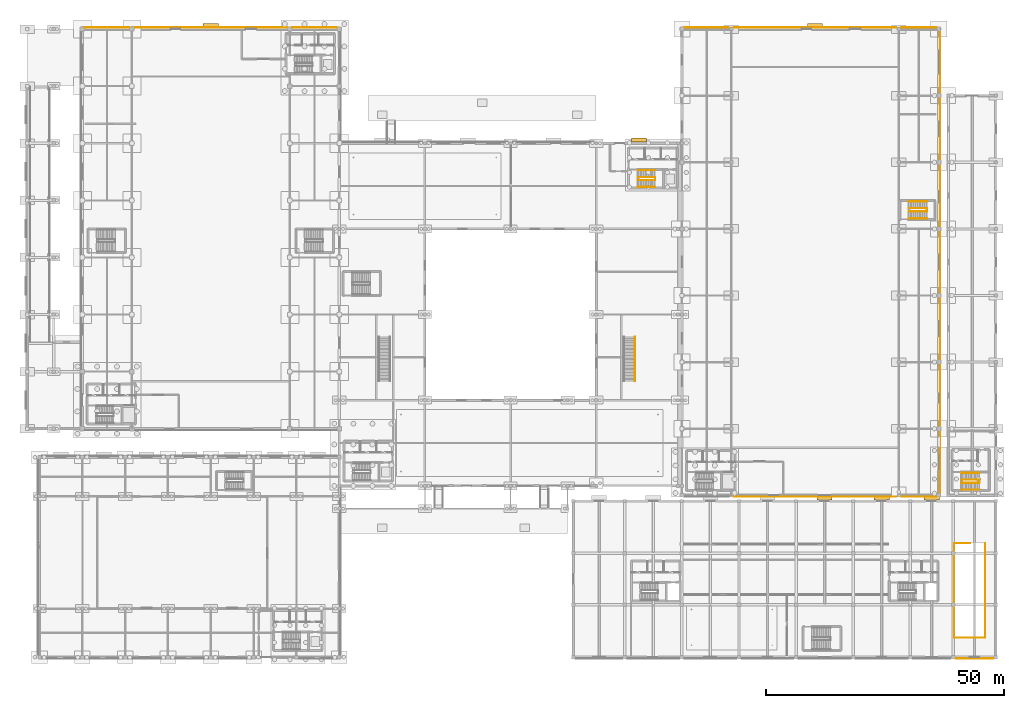
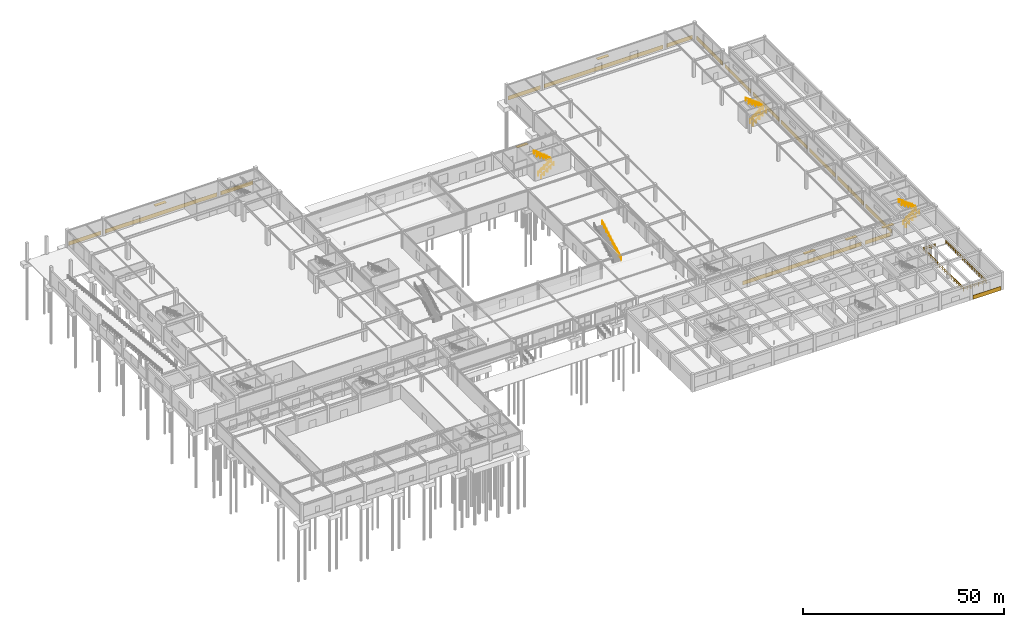
# One storey, part 52 of 53: 16 coverings, 11 railings, 6 shading devices.
"""IFC4 building model written with IfcOpenShell, lengths in metres."""

from ifc_helpers import new_model, si_unit, derived_unit, direction, frame, origin, origin_2d, place, context, subcontext, project, spatial, rectangle, circle, extrude, material, layer, layer_set, type_object, element, save


model = new_model("IFC4")

# Units and contexts
model_context = context("Model", 3, precision=1e-05, world=origin(), true_north=direction((0.0, 1.0)))
body_context = subcontext(model_context, "Body", "Model", "MODEL_VIEW")
ifc_project = project(units=[si_unit("LENGTHUNIT", "METRE"), si_unit("AREAUNIT", "SQUARE_METRE"), si_unit("VOLUMEUNIT", "CUBIC_METRE"), si_unit("PLANEANGLEUNIT", "RADIAN"), si_unit("MASSUNIT", "GRAM", prefix="KILO"), derived_unit("THERMALTRANSMITTANCEUNIT", [(si_unit("POWERUNIT", "WATT"), 1), (si_unit("LENGTHUNIT", "METRE"), -2), (si_unit("THERMODYNAMICTEMPERATUREUNIT", "KELVIN"), -1)])], contexts=[model_context])

# Site, building, storey
site_placement = place(None, origin())
site = spatial("IfcSite", under=ifc_project, at=site_placement, CompositionType="ELEMENT")
building_placement = place(site_placement, origin())
building = spatial("IfcBuilding", under=site, at=building_placement, Name="Almenara Railside Exhibition Hall", CompositionType="ELEMENT")
storey_placement = place(building_placement, origin())
storey = spatial("IfcBuildingStorey", under=building, at=storey_placement, Name="L00", CompositionType="ELEMENT", Elevation=0.0)

# Shading devices
ifc_material_1 = material(Name="Bronze-anodised aluminium solar brise-soleil", Category="aluminium")
shading_device_type = type_object("IfcShadingDeviceType", Name="North Solar Brise-Soleil Hood 900mm", PredefinedType="USERDEFINED", material=ifc_material_1)
for number, where, z_axis, x_axis, name in (
    (1, (39.0, 132.719970703125, 3.10986328125), (0.0, 0.0, 1.0), (-1.0, 0.0, 0.0), "Solar brise-soleil 0001"),
    (2, (166.0, 132.705078125, 3.10986328125), (0.0, 0.0, 1.0), (-1.0, 0.0, 0.0), "Solar brise-soleil 0002"),
    (3, (129.0, 108.675048828125, 3.91015625), (0.0, 0.0, 1.0), (-1.0, 0.0, 0.0), "Solar brise-soleil 0013"),
    (4, (168.0, 33.47509765625, 3.56005859375), (0.0, 0.0, 1.0), (-1.0, 0.0, 0.0), "Solar brise-soleil 0018"),
    (5, (180.0, 33.47509765625, 3.56005859375), (0.0, 0.0, 1.0), (-1.0, 0.0, 0.0), "Solar brise-soleil 0019"),
    (6, (190.5, 33.47509765625, 3.56005859375), (0.0, 0.0, 1.0), (-1.0, 0.0, 0.0), "Solar brise-soleil 0020"),
):
    element("IfcShadingDevice", number, at=place(storey_placement, frame(where, z_axis=z_axis, x_axis=x_axis)), inside=storey, type_object=shading_device_type, Name=name, ObjectType="BRISE_SOLEIL", PredefinedType="USERDEFINED", context=body_context, shape_type="SweptSolid", body=[
        extrude(rectangle(XDim=3.199951171875, YDim=0.89990234375, at=origin_2d()), origin(), (0.0, 0.0, 1.0), 0.139892578125),
    ])

# Coverings
ifc_material_2 = material(Name="Koppie quartzite dressed stone cladding", Category="masonry")
ifc_layer = layer(ifc_material_2, 0.080078125, Name="Koppie quartzite dressed stone cladding")
ifc_layer_set = layer_set([ifc_layer], Name="Koppie quartzite dressed stone cladding")
covering_type = type_object("IfcCoveringType", Name="Rusticated Koppie Quartzite Plinth Cladding 80mm", PredefinedType="CLADDING", material=ifc_layer_set)
covering_1_placement = place(storey_placement, frame((17.199951171875, 132.31005859375, 0.0), z_axis=(0.0, 0.0, 1.0), x_axis=(-1.0, 0.0, 0.0)))
element("IfcCovering", 7, at=covering_1_placement, inside=storey, type_object=covering_type, Name="Stone plinth cladding 0013", PredefinedType="CLADDING", context=body_context, shape_type="SweptSolid", body=[
    extrude(rectangle(XDim=9.300048828125, YDim=0.080078125, at=origin_2d()), origin(), (0.0, 0.0, 1.0), 1.199951171875),
])
covering_2_placement = place(storey_placement, frame((39.0, 132.31005859375, 0.0), z_axis=(0.0, 0.0, 1.0), x_axis=(-1.0, 0.0, 0.0)))
element("IfcCovering", 8, at=covering_2_placement, inside=storey, type_object=covering_type, Name="Stone plinth cladding 0014", PredefinedType="CLADDING", context=body_context, shape_type="SweptSolid", body=[
    extrude(rectangle(XDim=32.10009765625, YDim=0.080078125, at=origin_2d()), origin(), (0.0, 0.0, 1.0), 1.199951171875),
])
covering_3_placement = place(storey_placement, frame((60.800048828125, 132.31005859375, 0.0), z_axis=(0.0, 0.0, 1.0), x_axis=(-1.0, 0.0, 0.0)))
element("IfcCovering", 9, at=covering_3_placement, inside=storey, type_object=covering_type, Name="Stone plinth cladding 0015", PredefinedType="CLADDING", context=body_context, shape_type="SweptSolid", body=[
    extrude(rectangle(XDim=9.300048828125, YDim=0.080078125, at=origin_2d()), origin(), (0.0, 0.0, 1.0), 1.199951171875),
])
for number, where, z_axis, x_axis, name in (
    (10, (192.294921875, 41.0, 0.0), (0.0, 0.0, 1.0), (0.0, 1.0, 0.0), "Stone plinth cladding 0016"),
    (11, (192.294921875, 55.0, 0.0), (0.0, 0.0, 1.0), (0.0, 1.0, 0.0), "Stone plinth cladding 0017"),
    (12, (192.294921875, 69.0, 0.0), (0.0, 0.0, 1.0), (0.0, 1.0, 0.0), "Stone plinth cladding 0018"),
    (13, (192.294921875, 83.0, 0.0), (0.0, 0.0, 1.0), (0.0, 1.0, 0.0), "Stone plinth cladding 0019"),
    (14, (192.294921875, 97.0, 0.0), (0.0, 0.0, 1.0), (0.0, 1.0, 0.0), "Stone plinth cladding 0020"),
    (15, (192.294921875, 111.0, 0.0), (0.0, 0.0, 1.0), (0.0, 1.0, 0.0), "Stone plinth cladding 0021"),
    (16, (192.294921875, 125.0, 0.0), (0.0, 0.0, 1.0), (0.0, 1.0, 0.0), "Stone plinth cladding 0022"),
):
    element("IfcCovering", number, at=place(storey_placement, frame(where, z_axis=z_axis, x_axis=x_axis)), inside=storey, type_object=covering_type, Name=name, PredefinedType="CLADDING", context=body_context, shape_type="SweptSolid", body=[
        extrude(rectangle(XDim=12.89990234375, YDim=0.080078125, at=origin_2d()), origin(), (0.0, 0.0, 1.0), 1.199951171875),
    ])
covering_4_placement = place(storey_placement, frame((166.0, 33.705078125, 0.0), z_axis=(0.0, 0.0, 1.0), x_axis=(1.0, 0.0, 0.0)))
element("IfcCovering", 17, at=covering_4_placement, inside=storey, type_object=covering_type, Name="Stone plinth cladding 0024", PredefinedType="CLADDING", context=body_context, shape_type="SweptSolid", body=[
    extrude(rectangle(XDim=34.10009765625, YDim=0.080078125, at=origin_2d()), origin(), (0.0, 0.0, 1.0), 1.199951171875),
])
covering_5_placement = place(storey_placement, frame((187.800048828125, 33.705078125, 0.0), z_axis=(0.0, 0.0, 1.0), x_axis=(1.0, 0.0, 0.0)))
element("IfcCovering", 18, at=covering_5_placement, inside=storey, type_object=covering_type, Name="Stone plinth cladding 0025", PredefinedType="CLADDING", context=body_context, shape_type="SweptSolid", body=[
    extrude(rectangle(XDim=7.300048828125, YDim=0.080078125, at=origin_2d()), origin(), (0.0, 0.0, 1.0), 1.199951171875),
])
covering_6_placement = place(storey_placement, frame((143.199951171875, 132.294921875, 0.0), z_axis=(0.0, 0.0, 1.0), x_axis=(-1.0, 0.0, 0.0)))
element("IfcCovering", 19, at=covering_6_placement, inside=storey, type_object=covering_type, Name="Stone plinth cladding 0026", PredefinedType="CLADDING", context=body_context, shape_type="SweptSolid", body=[
    extrude(rectangle(XDim=9.300048828125, YDim=0.080078125, at=origin_2d()), origin(), (0.0, 0.0, 1.0), 1.199951171875),
])
covering_7_placement = place(storey_placement, frame((166.0, 132.294921875, 0.0), z_axis=(0.0, 0.0, 1.0), x_axis=(-1.0, 0.0, 0.0)))
element("IfcCovering", 20, at=covering_7_placement, inside=storey, type_object=covering_type, Name="Stone plinth cladding 0027", PredefinedType="CLADDING", context=body_context, shape_type="SweptSolid", body=[
    extrude(rectangle(XDim=34.10009765625, YDim=0.080078125, at=origin_2d()), origin(), (0.0, 0.0, 1.0), 1.199951171875),
])
covering_8_placement = place(storey_placement, frame((187.800048828125, 132.294921875, 0.0), z_axis=(0.0, 0.0, 1.0), x_axis=(-1.0, 0.0, 0.0)))
element("IfcCovering", 21, at=covering_8_placement, inside=storey, type_object=covering_type, Name="Stone plinth cladding 0028", PredefinedType="CLADDING", context=body_context, shape_type="SweptSolid", body=[
    extrude(rectangle(XDim=7.300048828125, YDim=0.080078125, at=origin_2d()), origin(), (0.0, 0.0, 1.0), 1.199951171875),
])
covering_9_placement = place(storey_placement, frame((199.5, -0.264892578125, 0.0), z_axis=(0.0, 0.0, 1.0), x_axis=(1.0, 0.0, 0.0)))
element("IfcCovering", 22, at=covering_9_placement, inside=storey, type_object=covering_type, Name="Stone plinth cladding 0054", PredefinedType="CLADDING", context=body_context, shape_type="SweptSolid", body=[
    extrude(rectangle(XDim=7.89990234375, YDim=0.080078125, at=origin_2d()), origin(), (0.0, 0.0, 1.0), 1.199951171875),
])

# Railings
ifc_material_3 = material(Name="Bronze-finished tubular steel handrail", Category="steel")
railing_type_1 = type_object("IfcRailingType", Name="Stair Pitch Handrail 920mm", PredefinedType="HANDRAIL", material=ifc_material_3)
railing_1_placement = place(storey_placement, frame((128.75, 98.800048828125, 0.0)))
element("IfcRailing", 23, at=railing_1_placement, inside=storey, type_object=railing_type_1, Name="HR-L00-0069", PredefinedType="HANDRAIL", context=body_context, shape_type="SweptSolid", body=[
    extrude(circle(Radius=0.02392578125, at=origin_2d()), frame((0.0, 0.0, 0.89599609375), z_axis=(0.803944740431, 0.0, 0.594704005647), x_axis=(0.0, 1.0, 0.0)), (0.0, 0.0, 1.0), 4.5400390625),
    extrude(circle(Radius=0.02099609375, at=origin_2d()), origin(), (0.0, 0.0, 1.0), 0.871826171875),
    extrude(circle(Radius=0.02099609375, at=origin_2d()), frame((0.91259765625, 0.0, 0.675048828125)), (0.0, 0.0, 1.0), 0.871826171875),
    extrude(circle(Radius=0.02099609375, at=origin_2d()), frame((1.824951171875, 0.0, 1.35009765625)), (0.0, 0.0, 1.0), 0.871826171875),
    extrude(circle(Radius=0.02099609375, at=origin_2d()), frame((2.7373046875, 0.0, 2.02490234375)), (0.0, 0.0, 1.0), 0.871826171875),
    extrude(circle(Radius=0.02099609375, at=origin_2d()), frame((3.64990234375, 0.0, 2.699951171875)), (0.0, 0.0, 1.0), 0.871826171875),
])
railing_2_placement = place(storey_placement, frame((132.39990234375, 102.300048828125, 2.699951171875)))
element("IfcRailing", 24, at=railing_2_placement, inside=storey, type_object=railing_type_1, Name="HR-L00-0070", PredefinedType="HANDRAIL", context=body_context, shape_type="SweptSolid", body=[
    extrude(circle(Radius=0.02392578125, at=origin_2d()), frame((0.0, 0.0, 0.89599609375), z_axis=(-0.803944740431, 0.0, 0.594704005647), x_axis=(0.0, -1.0, 0.0)), (0.0, 0.0, 1.0), 4.5400390625),
    extrude(circle(Radius=0.02099609375, at=origin_2d()), origin(), (0.0, 0.0, 1.0), 0.871826171875),
    extrude(circle(Radius=0.02099609375, at=origin_2d()), frame((-0.91259765625, 0.0, 0.675048828125)), (0.0, 0.0, 1.0), 0.871826171875),
    extrude(circle(Radius=0.02099609375, at=origin_2d()), frame((-1.824951171875, 0.0, 1.35009765625)), (0.0, 0.0, 1.0), 0.871826171875),
    extrude(circle(Radius=0.02099609375, at=origin_2d()), frame((-2.7373046875, 0.0, 2.02490234375)), (0.0, 0.0, 1.0), 0.871826171875),
    extrude(circle(Radius=0.02099609375, at=origin_2d()), frame((-3.64990234375, 0.0, 2.699951171875)), (0.0, 0.0, 1.0), 0.871826171875),
])
railing_3_placement = place(storey_placement, frame((196.75, 35.199951171875, 0.0)))
element("IfcRailing", 25, at=railing_3_placement, inside=storey, type_object=railing_type_1, Name="HR-L00-0077", PredefinedType="HANDRAIL", context=body_context, shape_type="SweptSolid", body=[
    extrude(circle(Radius=0.02392578125, at=origin_2d()), frame((0.0, 0.0, 0.89599609375), z_axis=(0.813740573448, 0.0, 0.581228250453), x_axis=(0.0, 1.0, 0.0)), (0.0, 0.0, 1.0), 4.645263671875),
    extrude(circle(Radius=0.02099609375, at=origin_2d()), origin(), (0.0, 0.0, 1.0), 0.871826171875),
    extrude(circle(Radius=0.02099609375, at=origin_2d()), frame((0.945068359375, 0.0, 0.675048828125)), (0.0, 0.0, 1.0), 0.871826171875),
    extrude(circle(Radius=0.02099609375, at=origin_2d()), frame((1.89013671875, 0.0, 1.35009765625)), (0.0, 0.0, 1.0), 0.871826171875),
    extrude(circle(Radius=0.02099609375, at=origin_2d()), frame((2.8349609375, 0.0, 2.02490234375)), (0.0, 0.0, 1.0), 0.871826171875),
    extrude(circle(Radius=0.02099609375, at=origin_2d()), frame((3.780029296875, 0.0, 2.699951171875)), (0.0, 0.0, 1.0), 0.871826171875),
])
railing_4_placement = place(storey_placement, frame((200.530029296875, 38.699951171875, 2.699951171875)))
element("IfcRailing", 26, at=railing_4_placement, inside=storey, type_object=railing_type_1, Name="HR-L00-0078", PredefinedType="HANDRAIL", context=body_context, shape_type="SweptSolid", body=[
    extrude(circle(Radius=0.02392578125, at=origin_2d()), frame((0.0, 0.0, 0.89599609375), z_axis=(-0.813740573448, 0.0, 0.581228250453), x_axis=(0.0, -1.0, 0.0)), (0.0, 0.0, 1.0), 4.645263671875),
    extrude(circle(Radius=0.02099609375, at=origin_2d()), origin(), (0.0, 0.0, 1.0), 0.871826171875),
    extrude(circle(Radius=0.02099609375, at=origin_2d()), frame((-0.945068359375, 0.0, 0.675048828125)), (0.0, 0.0, 1.0), 0.871826171875),
    extrude(circle(Radius=0.02099609375, at=origin_2d()), frame((-1.89013671875, 0.0, 1.35009765625)), (0.0, 0.0, 1.0), 0.871826171875),
    extrude(circle(Radius=0.02099609375, at=origin_2d()), frame((-2.8349609375, 0.0, 2.02490234375)), (0.0, 0.0, 1.0), 0.871826171875),
    extrude(circle(Radius=0.02099609375, at=origin_2d()), frame((-3.780029296875, 0.0, 2.699951171875)), (0.0, 0.0, 1.0), 0.871826171875),
])
railing_5_placement = place(storey_placement, frame((185.75, 92.199951171875, 0.0)))
element("IfcRailing", 27, at=railing_5_placement, inside=storey, type_object=railing_type_1, Name="HR-L00-0133", PredefinedType="HANDRAIL", context=body_context, shape_type="SweptSolid", body=[
    extrude(circle(Radius=0.02392578125, at=origin_2d()), frame((0.0, 0.0, 0.89599609375), z_axis=(0.813740573448, 0.0, 0.581228250453), x_axis=(0.0, 1.0, 0.0)), (0.0, 0.0, 1.0), 4.645263671875),
    extrude(circle(Radius=0.02099609375, at=origin_2d()), origin(), (0.0, 0.0, 1.0), 0.871826171875),
    extrude(circle(Radius=0.02099609375, at=origin_2d()), frame((0.945068359375, 0.0, 0.675048828125)), (0.0, 0.0, 1.0), 0.871826171875),
    extrude(circle(Radius=0.02099609375, at=origin_2d()), frame((1.89013671875, 0.0, 1.35009765625)), (0.0, 0.0, 1.0), 0.871826171875),
    extrude(circle(Radius=0.02099609375, at=origin_2d()), frame((2.8349609375, 0.0, 2.02490234375)), (0.0, 0.0, 1.0), 0.871826171875),
    extrude(circle(Radius=0.02099609375, at=origin_2d()), frame((3.780029296875, 0.0, 2.699951171875)), (0.0, 0.0, 1.0), 0.871826171875),
])
railing_6_placement = place(storey_placement, frame((189.530029296875, 95.75, 2.699951171875)))
element("IfcRailing", 28, at=railing_6_placement, inside=storey, type_object=railing_type_1, Name="HR-L00-0134", PredefinedType="HANDRAIL", context=body_context, shape_type="SweptSolid", body=[
    extrude(circle(Radius=0.02392578125, at=origin_2d()), frame((0.0, 0.0, 0.89599609375), z_axis=(-0.813740573448, 0.0, 0.581228250453), x_axis=(0.0, -1.0, 0.0)), (0.0, 0.0, 1.0), 4.645263671875),
    extrude(circle(Radius=0.02099609375, at=origin_2d()), origin(), (0.0, 0.0, 1.0), 0.871826171875),
    extrude(circle(Radius=0.02099609375, at=origin_2d()), frame((-0.945068359375, 0.0, 0.675048828125)), (0.0, 0.0, 1.0), 0.871826171875),
    extrude(circle(Radius=0.02099609375, at=origin_2d()), frame((-1.89013671875, 0.0, 1.35009765625)), (0.0, 0.0, 1.0), 0.871826171875),
    extrude(circle(Radius=0.02099609375, at=origin_2d()), frame((-2.8349609375, 0.0, 2.02490234375)), (0.0, 0.0, 1.0), 0.871826171875),
    extrude(circle(Radius=0.02099609375, at=origin_2d()), frame((-3.780029296875, 0.0, 2.699951171875)), (0.0, 0.0, 1.0), 0.871826171875),
])
ifc_material_4 = material(Name="Dark wrought-iron stair balustrade")
railing_type_2 = type_object("IfcRailingType", Name="Stair Well Guard Rail 1120mm", PredefinedType="BALUSTRADE", material=ifc_material_4)
railing_7_placement = place(storey_placement, frame((128.75, 100.22998046875, 0.0)))
element("IfcRailing", 29, at=railing_7_placement, inside=storey, type_object=railing_type_2, Name="SG-L00-0071", PredefinedType="BALUSTRADE", context=body_context, shape_type="SweptSolid", body=[
    extrude(circle(Radius=0.02392578125, at=origin_2d()), frame((0.0, 0.0, 1.09619140625), z_axis=(0.803944740431, 0.0, 0.594704005647), x_axis=(0.0, 1.0, 0.0)), (0.0, 0.0, 1.0), 4.5400390625),
    extrude(circle(Radius=0.01416015625, at=origin_2d()), frame((0.0, 0.0, 0.56005859375), z_axis=(0.803944740431, 0.0, 0.594704005647), x_axis=(0.0, 1.0, 0.0)), (0.0, 0.0, 1.0), 4.5400390625),
    extrude(circle(Radius=0.02392578125, at=origin_2d()), frame((3.64990234375, 0.0, 3.7958984375), z_axis=(0.0, 1.0, 0.0), x_axis=(-1.0, 0.0, 0.0)), (0.0, 0.0, 1.0), 0.64013671875),
    extrude(circle(Radius=0.01416015625, at=origin_2d()), frame((3.64990234375, 0.0, 3.260009765625), z_axis=(0.0, 1.0, 0.0), x_axis=(-1.0, 0.0, 0.0)), (0.0, 0.0, 1.0), 0.64013671875),
    extrude(circle(Radius=0.02392578125, at=origin_2d()), frame((3.64990234375, 0.64013671875, 3.7958984375), z_axis=(-0.803944740431, 0.0, 0.594704005647), x_axis=(0.0, -1.0, 0.0)), (0.0, 0.0, 1.0), 4.5400390625),
    extrude(circle(Radius=0.01416015625, at=origin_2d()), frame((3.64990234375, 0.64013671875, 3.260009765625), z_axis=(-0.803944740431, 0.0, 0.594704005647), x_axis=(0.0, -1.0, 0.0)), (0.0, 0.0, 1.0), 4.5400390625),
    extrude(circle(Radius=0.02099609375, at=origin_2d()), origin(), (0.0, 0.0, 1.0), 1.072021484375),
    extrude(circle(Radius=0.02099609375, at=origin_2d()), frame((0.91259765625, 0.0, 0.675048828125)), (0.0, 0.0, 1.0), 1.072021484375),
    extrude(circle(Radius=0.02099609375, at=origin_2d()), frame((1.824951171875, 0.0, 1.35009765625)), (0.0, 0.0, 1.0), 1.072021484375),
    extrude(circle(Radius=0.02099609375, at=origin_2d()), frame((2.7373046875, 0.0, 2.02490234375)), (0.0, 0.0, 1.0), 1.072021484375),
    extrude(circle(Radius=0.02099609375, at=origin_2d()), frame((3.64990234375, 0.0, 2.699951171875)), (0.0, 0.0, 1.0), 1.072021484375),
    extrude(circle(Radius=0.02099609375, at=origin_2d()), frame((3.64990234375, 0.64013671875, 2.699951171875)), (0.0, 0.0, 1.0), 1.072021484375),
    extrude(circle(Radius=0.02099609375, at=origin_2d()), frame((2.7373046875, 0.64013671875, 3.375)), (0.0, 0.0, 1.0), 1.072021484375),
    extrude(circle(Radius=0.02099609375, at=origin_2d()), frame((1.824951171875, 0.64013671875, 4.0498046875)), (0.0, 0.0, 1.0), 1.072021484375),
    extrude(circle(Radius=0.02099609375, at=origin_2d()), frame((0.91259765625, 0.64013671875, 4.724853515625)), (0.0, 0.0, 1.0), 1.072021484375),
    extrude(circle(Radius=0.02099609375, at=origin_2d()), frame((0.0, 0.64013671875, 5.39990234375)), (0.0, 0.0, 1.0), 1.072021484375),
])
railing_8_placement = place(storey_placement, frame((196.75, 36.610107421875, 0.0)))
element("IfcRailing", 30, at=railing_8_placement, inside=storey, type_object=railing_type_2, Name="SG-L00-0079", PredefinedType="BALUSTRADE", context=body_context, shape_type="SweptSolid", body=[
    extrude(circle(Radius=0.02392578125, at=origin_2d()), frame((0.0, 0.0, 1.09619140625), z_axis=(0.813740573448, 0.0, 0.581228250453), x_axis=(0.0, 1.0, 0.0)), (0.0, 0.0, 1.0), 4.645263671875),
    extrude(circle(Radius=0.01416015625, at=origin_2d()), frame((0.0, 0.0, 0.56005859375), z_axis=(0.813740573448, 0.0, 0.581228250453), x_axis=(0.0, 1.0, 0.0)), (0.0, 0.0, 1.0), 4.645263671875),
    extrude(circle(Radius=0.02392578125, at=origin_2d()), frame((3.780029296875, 0.0, 3.7958984375), z_axis=(0.0, 1.0, 0.0), x_axis=(-1.0, 0.0, 0.0)), (0.0, 0.0, 1.0), 0.679931640625),
    extrude(circle(Radius=0.01416015625, at=origin_2d()), frame((3.780029296875, 0.0, 3.260009765625), z_axis=(0.0, 1.0, 0.0), x_axis=(-1.0, 0.0, 0.0)), (0.0, 0.0, 1.0), 0.679931640625),
    extrude(circle(Radius=0.02392578125, at=origin_2d()), frame((3.780029296875, 0.679931640625, 3.7958984375), z_axis=(-0.813740573448, 0.0, 0.581228250453), x_axis=(0.0, -1.0, 0.0)), (0.0, 0.0, 1.0), 4.645263671875),
    extrude(circle(Radius=0.01416015625, at=origin_2d()), frame((3.780029296875, 0.679931640625, 3.260009765625), z_axis=(-0.813740573448, 0.0, 0.581228250453), x_axis=(0.0, -1.0, 0.0)), (0.0, 0.0, 1.0), 4.645263671875),
    extrude(circle(Radius=0.02099609375, at=origin_2d()), origin(), (0.0, 0.0, 1.0), 1.072021484375),
    extrude(circle(Radius=0.02099609375, at=origin_2d()), frame((0.945068359375, 0.0, 0.675048828125)), (0.0, 0.0, 1.0), 1.072021484375),
    extrude(circle(Radius=0.02099609375, at=origin_2d()), frame((1.89013671875, 0.0, 1.35009765625)), (0.0, 0.0, 1.0), 1.072021484375),
    extrude(circle(Radius=0.02099609375, at=origin_2d()), frame((2.8349609375, 0.0, 2.02490234375)), (0.0, 0.0, 1.0), 1.072021484375),
    extrude(circle(Radius=0.02099609375, at=origin_2d()), frame((3.780029296875, 0.0, 2.699951171875)), (0.0, 0.0, 1.0), 1.072021484375),
    extrude(circle(Radius=0.02099609375, at=origin_2d()), frame((3.780029296875, 0.679931640625, 2.699951171875)), (0.0, 0.0, 1.0), 1.072021484375),
    extrude(circle(Radius=0.02099609375, at=origin_2d()), frame((2.8349609375, 0.679931640625, 3.375)), (0.0, 0.0, 1.0), 1.072021484375),
    extrude(circle(Radius=0.02099609375, at=origin_2d()), frame((1.89013671875, 0.679931640625, 4.0498046875)), (0.0, 0.0, 1.0), 1.072021484375),
    extrude(circle(Radius=0.02099609375, at=origin_2d()), frame((0.945068359375, 0.679931640625, 4.724853515625)), (0.0, 0.0, 1.0), 1.072021484375),
    extrude(circle(Radius=0.02099609375, at=origin_2d()), frame((0.0, 0.679931640625, 5.39990234375)), (0.0, 0.0, 1.0), 1.072021484375),
])
railing_9_placement = place(storey_placement, frame((185.75, 93.6298828125, 0.0)))
element("IfcRailing", 31, at=railing_9_placement, inside=storey, type_object=railing_type_2, Name="SG-L00-0135", PredefinedType="BALUSTRADE", context=body_context, shape_type="SweptSolid", body=[
    extrude(circle(Radius=0.02392578125, at=origin_2d()), frame((0.0, 0.0, 1.09619140625), z_axis=(0.813740573448, 0.0, 0.581228250453), x_axis=(0.0, 1.0, 0.0)), (0.0, 0.0, 1.0), 4.645263671875),
    extrude(circle(Radius=0.01416015625, at=origin_2d()), frame((0.0, 0.0, 0.56005859375), z_axis=(0.813740573448, 0.0, 0.581228250453), x_axis=(0.0, 1.0, 0.0)), (0.0, 0.0, 1.0), 4.645263671875),
    extrude(circle(Radius=0.02392578125, at=origin_2d()), frame((3.780029296875, 0.0, 3.7958984375), z_axis=(0.0, 1.0, 0.0), x_axis=(-1.0, 0.0, 0.0)), (0.0, 0.0, 1.0), 0.690185546875),
    extrude(circle(Radius=0.01416015625, at=origin_2d()), frame((3.780029296875, 0.0, 3.260009765625), z_axis=(0.0, 1.0, 0.0), x_axis=(-1.0, 0.0, 0.0)), (0.0, 0.0, 1.0), 0.690185546875),
    extrude(circle(Radius=0.02392578125, at=origin_2d()), frame((3.780029296875, 0.690185546875, 3.7958984375), z_axis=(-0.813740573448, 0.0, 0.581228250453), x_axis=(0.0, -1.0, 0.0)), (0.0, 0.0, 1.0), 4.645263671875),
    extrude(circle(Radius=0.01416015625, at=origin_2d()), frame((3.780029296875, 0.690185546875, 3.260009765625), z_axis=(-0.813740573448, 0.0, 0.581228250453), x_axis=(0.0, -1.0, 0.0)), (0.0, 0.0, 1.0), 4.645263671875),
    extrude(circle(Radius=0.02099609375, at=origin_2d()), origin(), (0.0, 0.0, 1.0), 1.072021484375),
    extrude(circle(Radius=0.02099609375, at=origin_2d()), frame((0.945068359375, 0.0, 0.675048828125)), (0.0, 0.0, 1.0), 1.072021484375),
    extrude(circle(Radius=0.02099609375, at=origin_2d()), frame((1.89013671875, 0.0, 1.35009765625)), (0.0, 0.0, 1.0), 1.072021484375),
    extrude(circle(Radius=0.02099609375, at=origin_2d()), frame((2.8349609375, 0.0, 2.02490234375)), (0.0, 0.0, 1.0), 1.072021484375),
    extrude(circle(Radius=0.02099609375, at=origin_2d()), frame((3.780029296875, 0.0, 2.699951171875)), (0.0, 0.0, 1.0), 1.072021484375),
    extrude(circle(Radius=0.02099609375, at=origin_2d()), frame((3.780029296875, 0.690185546875, 2.699951171875)), (0.0, 0.0, 1.0), 1.072021484375),
    extrude(circle(Radius=0.02099609375, at=origin_2d()), frame((2.8349609375, 0.690185546875, 3.375)), (0.0, 0.0, 1.0), 1.072021484375),
    extrude(circle(Radius=0.02099609375, at=origin_2d()), frame((1.89013671875, 0.690185546875, 4.0498046875)), (0.0, 0.0, 1.0), 1.072021484375),
    extrude(circle(Radius=0.02099609375, at=origin_2d()), frame((0.945068359375, 0.690185546875, 4.724853515625)), (0.0, 0.0, 1.0), 1.072021484375),
    extrude(circle(Radius=0.02099609375, at=origin_2d()), frame((0.0, 0.690185546875, 5.39990234375)), (0.0, 0.0, 1.0), 1.072021484375),
])
railing_10_placement = place(storey_placement, frame((128.159912109375, 58.0, 0.0)))
element("IfcRailing", 32, at=railing_10_placement, inside=storey, type_object=railing_type_2, Name="SG-L00-0140", PredefinedType="BALUSTRADE", context=body_context, shape_type="SweptSolid", body=[
    extrude(circle(Radius=0.02392578125, at=origin_2d()), frame((0.0, 0.0, 1.09619140625), z_axis=(0.0, 0.86479403468, 0.502126754497), x_axis=(-1.0, 0.0, 0.0)), (0.0, 0.0, 1.0), 10.754150390625),
    extrude(circle(Radius=0.01416015625, at=origin_2d()), frame((0.0, 0.0, 0.56005859375), z_axis=(0.0, 0.86479403468, 0.502126754497), x_axis=(-1.0, 0.0, 0.0)), (0.0, 0.0, 1.0), 10.754150390625),
    extrude(circle(Radius=0.02099609375, at=origin_2d()), origin(), (0.0, 0.0, 1.0), 1.072021484375),
    extrude(circle(Radius=0.02099609375, at=origin_2d()), frame((0.0, 1.033447265625, 0.60009765625)), (0.0, 0.0, 1.0), 1.072021484375),
    extrude(circle(Radius=0.02099609375, at=origin_2d()), frame((0.0, 2.066650390625, 1.199951171875)), (0.0, 0.0, 1.0), 1.072021484375),
    extrude(circle(Radius=0.02099609375, at=origin_2d()), frame((0.0, 3.10009765625, 1.800048828125)), (0.0, 0.0, 1.0), 1.072021484375),
    extrude(circle(Radius=0.02099609375, at=origin_2d()), frame((0.0, 4.13330078125, 2.39990234375)), (0.0, 0.0, 1.0), 1.072021484375),
    extrude(circle(Radius=0.02099609375, at=origin_2d()), frame((0.0, 5.166748046875, 3.0)), (0.0, 0.0, 1.0), 1.072021484375),
    extrude(circle(Radius=0.02099609375, at=origin_2d()), frame((0.0, 6.199951171875, 3.599853515625)), (0.0, 0.0, 1.0), 1.072021484375),
    extrude(circle(Radius=0.02099609375, at=origin_2d()), frame((0.0, 7.2333984375, 4.199951171875)), (0.0, 0.0, 1.0), 1.072021484375),
    extrude(circle(Radius=0.02099609375, at=origin_2d()), frame((0.0, 8.2666015625, 4.7998046875)), (0.0, 0.0, 1.0), 1.072021484375),
    extrude(circle(Radius=0.02099609375, at=origin_2d()), frame((0.0, 9.300048828125, 5.39990234375)), (0.0, 0.0, 1.0), 1.072021484375),
])
ifc_material_5 = material(Name="Dark wrought-iron architectural balustrade")
railing_type_3 = type_object("IfcRailingType", Name="Wrought-Iron Rejas Terrace Balustrade 1120mm", PredefinedType="BALUSTRADE", material=ifc_material_5)
railing_11_placement = place(storey_placement, frame((198.60009765625, 23.949951171875, 0.0)))
element("IfcRailing", 33, at=railing_11_placement, inside=storey, type_object=railing_type_3, Name="Guard balustrade 0015", PredefinedType="BALUSTRADE", context=body_context, shape_type="SweptSolid", body=[
    extrude(circle(Radius=0.02392578125, at=origin_2d()), frame((0.0, 0.0, 1.09619140625), z_axis=(-1.0, 0.0, 0.0), x_axis=(0.0, -1.0, 0.0)), (0.0, 0.0, 1.0), 3.35009765625),
    extrude(circle(Radius=0.01416015625, at=origin_2d()), frame((0.0, 0.0, 0.56005859375), z_axis=(-1.0, 0.0, 0.0), x_axis=(0.0, -1.0, 0.0)), (0.0, 0.0, 1.0), 3.35009765625),
    extrude(circle(Radius=0.02392578125, at=origin_2d()), frame((-3.35009765625, 0.0, 1.09619140625), z_axis=(0.0, -1.0, 0.0), x_axis=(1.0, 0.0, 0.0)), (0.0, 0.0, 1.0), 19.89990234375),
    extrude(circle(Radius=0.01416015625, at=origin_2d()), frame((-3.35009765625, 0.0, 0.56005859375), z_axis=(0.0, -1.0, 0.0), x_axis=(1.0, 0.0, 0.0)), (0.0, 0.0, 1.0), 19.89990234375),
    extrude(circle(Radius=0.02392578125, at=origin_2d()), frame((-3.35009765625, -19.89990234375, 1.09619140625), z_axis=(1.0, 0.0, 0.0), x_axis=(0.0, 1.0, 0.0)), (0.0, 0.0, 1.0), 6.5),
    extrude(circle(Radius=0.01416015625, at=origin_2d()), frame((-3.35009765625, -19.89990234375, 0.56005859375), z_axis=(1.0, 0.0, 0.0), x_axis=(0.0, 1.0, 0.0)), (0.0, 0.0, 1.0), 6.5),
    extrude(circle(Radius=0.02392578125, at=origin_2d()), frame((3.14990234375, -19.89990234375, 1.09619140625), z_axis=(0.0, 1.0, 0.0), x_axis=(-1.0, 0.0, 0.0)), (0.0, 0.0, 1.0), 19.89990234375),
    extrude(circle(Radius=0.01416015625, at=origin_2d()), frame((3.14990234375, -19.89990234375, 0.56005859375), z_axis=(0.0, 1.0, 0.0), x_axis=(-1.0, 0.0, 0.0)), (0.0, 0.0, 1.0), 19.89990234375),
    extrude(circle(Radius=0.02099609375, at=origin_2d()), origin(), (0.0, 0.0, 1.0), 1.072021484375),
    extrude(circle(Radius=0.02099609375, at=origin_2d()), frame((-1.11669921875, 0.0, 0.0)), (0.0, 0.0, 1.0), 1.072021484375),
    extrude(circle(Radius=0.02099609375, at=origin_2d()), frame((-2.2333984375, 0.0, 0.0)), (0.0, 0.0, 1.0), 1.072021484375),
    extrude(circle(Radius=0.02099609375, at=origin_2d()), frame((-3.35009765625, 0.0, 0.0)), (0.0, 0.0, 1.0), 1.072021484375),
    extrude(circle(Radius=0.02099609375, at=origin_2d()), frame((-3.35009765625, -1.170654296875, 0.0)), (0.0, 0.0, 1.0), 1.072021484375),
    extrude(circle(Radius=0.02099609375, at=origin_2d()), frame((-3.35009765625, -2.341064453125, 0.0)), (0.0, 0.0, 1.0), 1.072021484375),
    extrude(circle(Radius=0.02099609375, at=origin_2d()), frame((-3.35009765625, -3.51171875, 0.0)), (0.0, 0.0, 1.0), 1.072021484375),
    extrude(circle(Radius=0.02099609375, at=origin_2d()), frame((-3.35009765625, -4.682373046875, 0.0)), (0.0, 0.0, 1.0), 1.072021484375),
    extrude(circle(Radius=0.02099609375, at=origin_2d()), frame((-3.35009765625, -5.85302734375, 0.0)), (0.0, 0.0, 1.0), 1.072021484375),
    extrude(circle(Radius=0.02099609375, at=origin_2d()), frame((-3.35009765625, -7.0234375, 0.0)), (0.0, 0.0, 1.0), 1.072021484375),
    extrude(circle(Radius=0.02099609375, at=origin_2d()), frame((-3.35009765625, -8.194091796875, 0.0)), (0.0, 0.0, 1.0), 1.072021484375),
    extrude(circle(Radius=0.02099609375, at=origin_2d()), frame((-3.35009765625, -9.36474609375, 0.0)), (0.0, 0.0, 1.0), 1.072021484375),
    extrude(circle(Radius=0.02099609375, at=origin_2d()), frame((-3.35009765625, -10.53515625, 0.0)), (0.0, 0.0, 1.0), 1.072021484375),
    extrude(circle(Radius=0.02099609375, at=origin_2d()), frame((-3.35009765625, -11.705810546875, 0.0)), (0.0, 0.0, 1.0), 1.072021484375),
    extrude(circle(Radius=0.02099609375, at=origin_2d()), frame((-3.35009765625, -12.87646484375, 0.0)), (0.0, 0.0, 1.0), 1.072021484375),
    extrude(circle(Radius=0.02099609375, at=origin_2d()), frame((-3.35009765625, -14.046875, 0.0)), (0.0, 0.0, 1.0), 1.072021484375),
    extrude(circle(Radius=0.02099609375, at=origin_2d()), frame((-3.35009765625, -15.217529296875, 0.0)), (0.0, 0.0, 1.0), 1.072021484375),
    extrude(circle(Radius=0.02099609375, at=origin_2d()), frame((-3.35009765625, -16.38818359375, 0.0)), (0.0, 0.0, 1.0), 1.072021484375),
    extrude(circle(Radius=0.02099609375, at=origin_2d()), frame((-3.35009765625, -17.558837890625, 0.0)), (0.0, 0.0, 1.0), 1.072021484375),
    extrude(circle(Radius=0.02099609375, at=origin_2d()), frame((-3.35009765625, -18.729248046875, 0.0)), (0.0, 0.0, 1.0), 1.072021484375),
    extrude(circle(Radius=0.02099609375, at=origin_2d()), frame((-3.35009765625, -19.89990234375, 0.0)), (0.0, 0.0, 1.0), 1.072021484375),
    extrude(circle(Radius=0.02099609375, at=origin_2d()), frame((-2.266845703125, -19.89990234375, 0.0)), (0.0, 0.0, 1.0), 1.072021484375),
    extrude(circle(Radius=0.02099609375, at=origin_2d()), frame((-1.183349609375, -19.89990234375, 0.0)), (0.0, 0.0, 1.0), 1.072021484375),
    extrude(circle(Radius=0.02099609375, at=origin_2d()), frame((-0.10009765625, -19.89990234375, 0.0)), (0.0, 0.0, 1.0), 1.072021484375),
    extrude(circle(Radius=0.02099609375, at=origin_2d()), frame((0.983154296875, -19.89990234375, 0.0)), (0.0, 0.0, 1.0), 1.072021484375),
    extrude(circle(Radius=0.02099609375, at=origin_2d()), frame((2.066650390625, -19.89990234375, 0.0)), (0.0, 0.0, 1.0), 1.072021484375),
    extrude(circle(Radius=0.02099609375, at=origin_2d()), frame((3.14990234375, -19.89990234375, 0.0)), (0.0, 0.0, 1.0), 1.072021484375),
    extrude(circle(Radius=0.02099609375, at=origin_2d()), frame((3.14990234375, -18.729248046875, 0.0)), (0.0, 0.0, 1.0), 1.072021484375),
    extrude(circle(Radius=0.02099609375, at=origin_2d()), frame((3.14990234375, -17.558837890625, 0.0)), (0.0, 0.0, 1.0), 1.072021484375),
    extrude(circle(Radius=0.02099609375, at=origin_2d()), frame((3.14990234375, -16.38818359375, 0.0)), (0.0, 0.0, 1.0), 1.072021484375),
    extrude(circle(Radius=0.02099609375, at=origin_2d()), frame((3.14990234375, -15.217529296875, 0.0)), (0.0, 0.0, 1.0), 1.072021484375),
    extrude(circle(Radius=0.02099609375, at=origin_2d()), frame((3.14990234375, -14.046875, 0.0)), (0.0, 0.0, 1.0), 1.072021484375),
    extrude(circle(Radius=0.02099609375, at=origin_2d()), frame((3.14990234375, -12.87646484375, 0.0)), (0.0, 0.0, 1.0), 1.072021484375),
    extrude(circle(Radius=0.02099609375, at=origin_2d()), frame((3.14990234375, -11.705810546875, 0.0)), (0.0, 0.0, 1.0), 1.072021484375),
    extrude(circle(Radius=0.02099609375, at=origin_2d()), frame((3.14990234375, -10.53515625, 0.0)), (0.0, 0.0, 1.0), 1.072021484375),
    extrude(circle(Radius=0.02099609375, at=origin_2d()), frame((3.14990234375, -9.36474609375, 0.0)), (0.0, 0.0, 1.0), 1.072021484375),
    extrude(circle(Radius=0.02099609375, at=origin_2d()), frame((3.14990234375, -8.194091796875, 0.0)), (0.0, 0.0, 1.0), 1.072021484375),
    extrude(circle(Radius=0.02099609375, at=origin_2d()), frame((3.14990234375, -7.0234375, 0.0)), (0.0, 0.0, 1.0), 1.072021484375),
    extrude(circle(Radius=0.02099609375, at=origin_2d()), frame((3.14990234375, -5.85302734375, 0.0)), (0.0, 0.0, 1.0), 1.072021484375),
    extrude(circle(Radius=0.02099609375, at=origin_2d()), frame((3.14990234375, -4.682373046875, 0.0)), (0.0, 0.0, 1.0), 1.072021484375),
    extrude(circle(Radius=0.02099609375, at=origin_2d()), frame((3.14990234375, -3.51171875, 0.0)), (0.0, 0.0, 1.0), 1.072021484375),
    extrude(circle(Radius=0.02099609375, at=origin_2d()), frame((3.14990234375, -2.341064453125, 0.0)), (0.0, 0.0, 1.0), 1.072021484375),
    extrude(circle(Radius=0.02099609375, at=origin_2d()), frame((3.14990234375, -1.170654296875, 0.0)), (0.0, 0.0, 1.0), 1.072021484375),
    extrude(circle(Radius=0.02099609375, at=origin_2d()), frame((3.14990234375, 0.0, 0.0)), (0.0, 0.0, 1.0), 1.072021484375),
])

save(model, "model.ifc")
